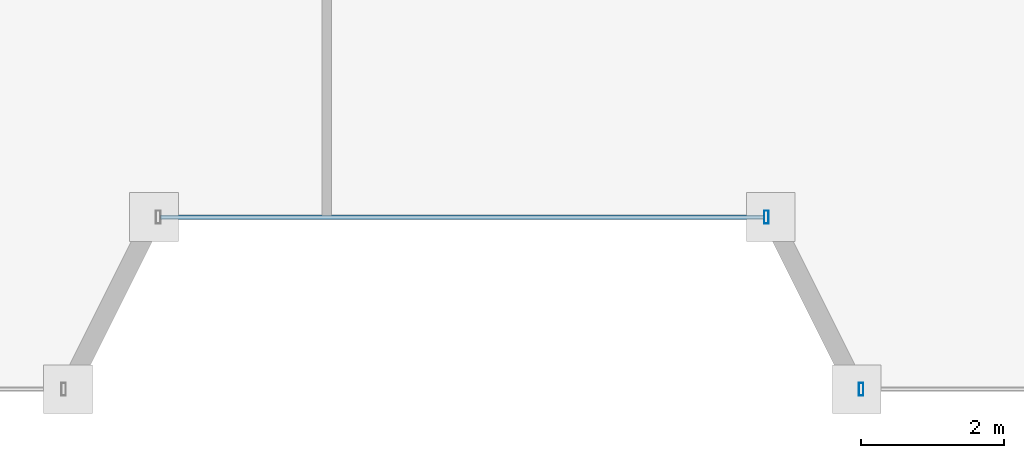
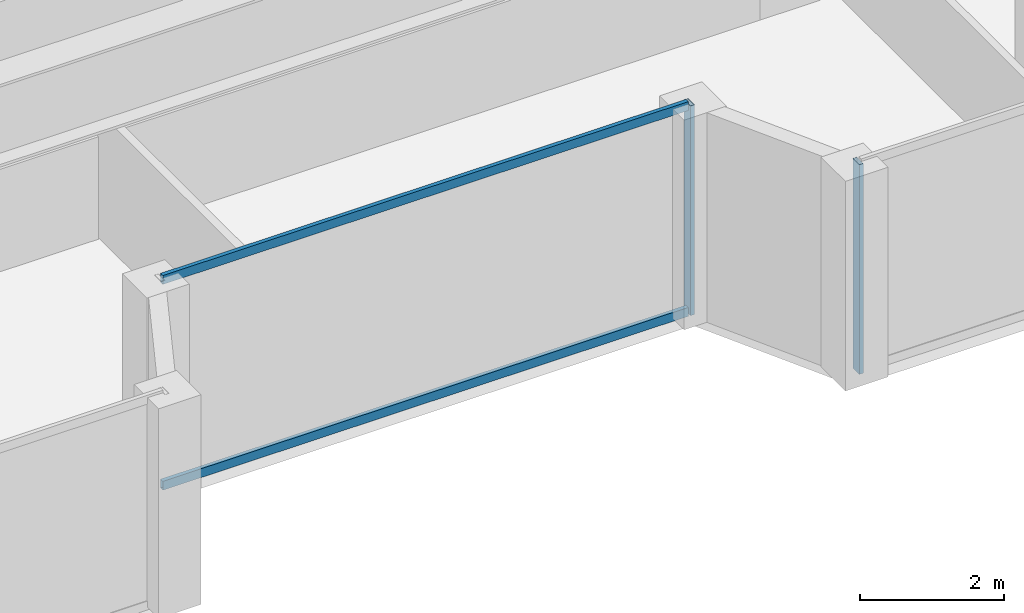
# One storey, part 7 of 24: 4 members, 2 elements without a shape of their own.
"""IFC4 building model written with IfcOpenShell, lengths in metres."""

from ifc_helpers import new_model, si_unit, direction, frame, origin, origin_2d, place, context, subcontext, project, spatial, hollow_rectangle, extrude, material, material_profile, profile_set, type_object, element, aggregate, save


model = new_model("IFC4")

# Units and contexts
model_context = context("Model", 3, precision=1e-05, world=origin(), true_north=direction((0.0, 1.0)))
body_context = subcontext(model_context, "Body", "Model", "MODEL_VIEW")
ifc_project = project(units=[si_unit("LENGTHUNIT", "METRE"), si_unit("AREAUNIT", "SQUARE_METRE"), si_unit("VOLUMEUNIT", "CUBIC_METRE"), si_unit("PLANEANGLEUNIT", "RADIAN"), si_unit("MASSUNIT", "GRAM", prefix="KILO")], contexts=[model_context])

# Site, building, storey
site_placement = place(None, origin())
site = spatial("IfcSite", under=ifc_project, at=site_placement, CompositionType="ELEMENT")
building_placement = place(site_placement, origin())
building = spatial("IfcBuilding", under=site, at=building_placement, Name="Saevonmaru Cultural Tower", CompositionType="ELEMENT")
storey_placement = place(building_placement, frame((0.0, 0.0, 306.60009765625)))
storey = spatial("IfcBuildingStorey", under=building, at=storey_placement, Name="L73", CompositionType="ELEMENT", Elevation=306.60009765625)

# Curtain wall, member
ifc_material = material(Name="Satin Bronze Anodised Aluminium", Category="aluminium")
curtain_wall_type = type_object("IfcCurtainWallType", Name="CW-TYP-B", PredefinedType="NOTDEFINED", material=ifc_material)
curtain_wall_1_placement = place(storey_placement, origin())
curtain_wall_1 = element("IfcCurtainWall", 1, at=curtain_wall_1_placement, inside=storey, type_object=curtain_wall_type, Name="L73 Unitised Curtain Wall E4", PredefinedType="NOTDEFINED")
ifc_material_profile_1 = material_profile(ifc_material, hollow_rectangle(XDim=0.06494140625, YDim=0.179931640625, WallThickness=0.00390625, at=origin_2d()), Name="ALU-MULL-180x65x4")
ifc_profile_set_1 = profile_set([ifc_material_profile_1], Name="Satin Bronze Anodised Aluminium")
member_type_1 = type_object("IfcMemberType", Name="ML-CW-180x65", PredefinedType="MULLION", material=ifc_profile_set_1)
member_1_placement = place(storey_placement, frame((34.239990234375, 35.0, 0.0), z_axis=(0.0, 0.0, 1.0), x_axis=(1.0, 0.0, 0.0)))
member_1 = element("IfcMember", 2, at=member_1_placement, type_object=member_type_1, Name="CW-TW-L73-E4 mullion 2", PredefinedType="MULLION", context=body_context, shape_type="SweptSolid", body=[
    extrude(hollow_rectangle(XDim=0.06494140625, YDim=0.179931640625, WallThickness=0.00390625, at=origin_2d()), origin(), (0.0, 0.0, 1.0), 3.5498046875),
])

curtain_wall_2_placement = place(storey_placement, origin())
curtain_wall_2 = element("IfcCurtainWall", 3, at=curtain_wall_2_placement, inside=storey, type_object=curtain_wall_type, Name="L73 Unitised Curtain Wall E6", PredefinedType="NOTDEFINED")
member_2_placement = place(storey_placement, frame((35.56005859375, 32.60009765625, 0.0), z_axis=(0.0, 0.0, 1.0), x_axis=(1.0, 0.0, 0.0)))
member_2 = element("IfcMember", 4, at=member_2_placement, type_object=member_type_1, Name="CW-TW-L73-E6 mullion 1", PredefinedType="MULLION", context=body_context, shape_type="SweptSolid", body=[
    extrude(hollow_rectangle(XDim=0.06494140625, YDim=0.179931640625, WallThickness=0.00390625, at=origin_2d()), origin(), (0.0, 0.0, 1.0), 3.5498046875),
])
aggregate(curtain_wall_2, [member_2])

# Member
ifc_material_profile_2 = material_profile(ifc_material, hollow_rectangle(XDim=0.06494140625, YDim=0.14990234375, WallThickness=0.00390625, at=origin_2d()), Name="ALU-TRAN-150x65x4")
ifc_profile_set_2 = profile_set([ifc_material_profile_2], Name="Satin Bronze Anodised Aluminium")
member_type_2 = type_object("IfcMemberType", Name="TR-CW-150x65", PredefinedType="USERDEFINED", material=ifc_profile_set_2)
member_3_placement = place(storey_placement, frame((25.79248046875, 35.0, 0.032470703125), z_axis=(1.0, 0.0, 0.0), x_axis=(0.0, 1.0, 0.0)))
member_3 = element("IfcMember", 5, at=member_3_placement, type_object=member_type_2, Name="CW-TW-L73-E4 transom 1.1", ObjectType="TRANSOM", PredefinedType="USERDEFINED", context=body_context, shape_type="SweptSolid", body=[
    extrude(hollow_rectangle(XDim=0.06494140625, YDim=0.14990234375, WallThickness=0.00390625, at=origin_2d()), origin(), (0.0, 0.0, 1.0), 8.4150390625),
])

member_4_placement = place(storey_placement, frame((25.79248046875, 35.0, 3.517333984375), z_axis=(1.0, 0.0, 0.0), x_axis=(0.0, 1.0, 0.0)))
member_4 = element("IfcMember", 6, at=member_4_placement, type_object=member_type_2, Name="CW-TW-L73-E4 transom 1.2", ObjectType="TRANSOM", PredefinedType="USERDEFINED", context=body_context, shape_type="SweptSolid", body=[
    extrude(hollow_rectangle(XDim=0.06494140625, YDim=0.14990234375, WallThickness=0.00390625, at=origin_2d()), origin(), (0.0, 0.0, 1.0), 8.4150390625),
])

aggregate(curtain_wall_1, [member_1, member_3, member_4])

save(model, "model.ifc")
